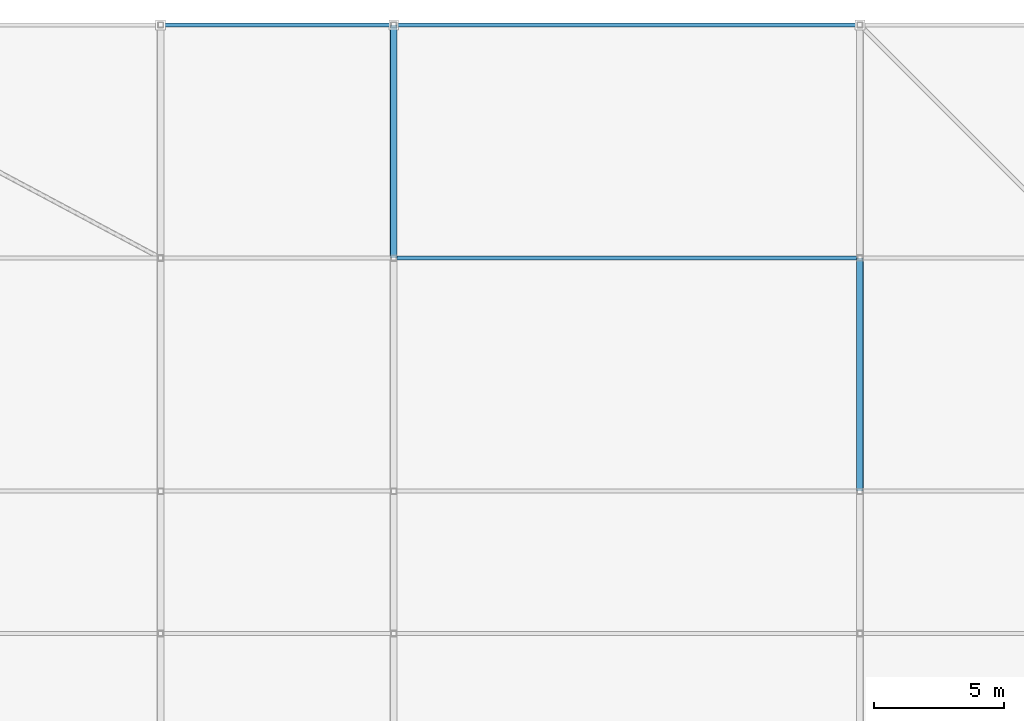
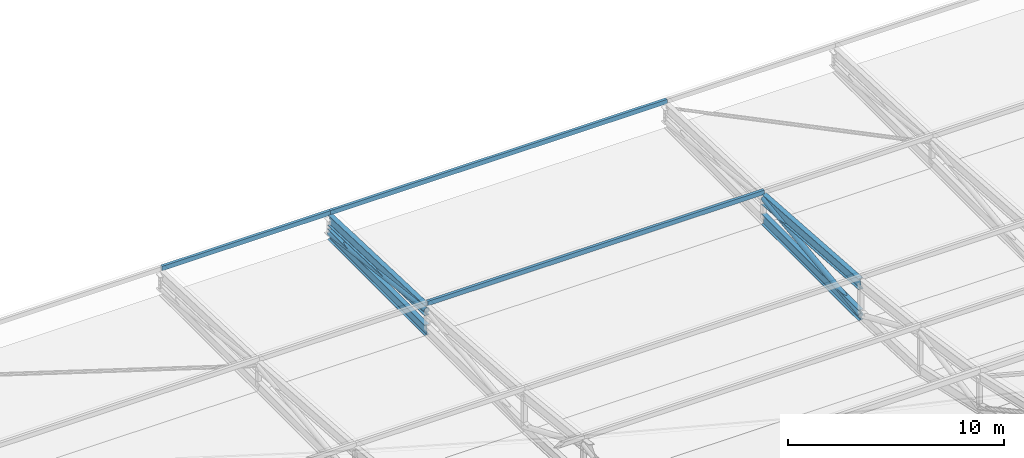
# One storey, part 70 of 114: 5 members, 4 beams.
"""IFC4 building model written with IfcOpenShell, lengths in metres."""

from ifc_helpers import new_model, si_unit, direction, frame, origin, origin_2d, place, context, subcontext, project, spatial, hollow_rectangle, hollow_circle, i_section, extrude, material, material_profile, profile_set, type_object, element, save


model = new_model("IFC4")

# Units and contexts
model_context = context("Model", 3, precision=1e-05, world=origin(), true_north=direction((0.0, 1.0)))
body_context = subcontext(model_context, "Body", "Model", "MODEL_VIEW")
ifc_project = project(units=[si_unit("LENGTHUNIT", "METRE"), si_unit("AREAUNIT", "SQUARE_METRE"), si_unit("VOLUMEUNIT", "CUBIC_METRE"), si_unit("PLANEANGLEUNIT", "RADIAN"), si_unit("MASSUNIT", "GRAM", prefix="KILO"), si_unit("THERMODYNAMICTEMPERATUREUNIT", "KELVIN"), si_unit("POWERUNIT", "WATT")], contexts=[model_context])

# Site, building, storey
site_placement = place(None, origin())
site = spatial("IfcSite", under=ifc_project, at=site_placement, CompositionType="ELEMENT")
building_placement = place(site_placement, origin())
building = spatial("IfcBuilding", under=site, at=building_placement, Name="Sindhuravela Promenade Stadium", CompositionType="ELEMENT")
storey_placement = place(building_placement, frame((0.0, 0.0, 24.0)))
storey = spatial("IfcBuildingStorey", under=building, at=storey_placement, Name="L05", CompositionType="ELEMENT", Elevation=24.0)

# Beams
ifc_material = material(Name="Steel E350 (IS 2062 E350BR)", Category="steel")
ifc_material_profile_1 = material_profile(ifc_material, i_section(OverallWidth=0.25, OverallDepth=0.60009765625, WebThickness=0.01171875, FlangeThickness=0.023681640625, FilletRadius=0.01708984375, at=origin_2d()), Name="ISWB 600")
ifc_profile_set_1 = profile_set([ifc_material_profile_1], Name="Steel E350 (IS 2062 E350BR)")
beam_type = type_object("IfcBeamType", Name="ST-BM-WB600", PredefinedType="USERDEFINED", material=ifc_profile_set_1)
beam_1_placement = place(storey_placement, frame((81.0, 153.0, 0.800048828125), z_axis=(0.0, -0.9993399990381225, 0.03632583546850814), x_axis=(1.0, 0.0, 0.0)))
element("IfcBeam", 1, at=beam_1_placement, inside=storey, type_object=beam_type, Name="Roof truss RT-N03 top chord 1", ObjectType="ROOF TRUSS", PredefinedType="USERDEFINED", context=body_context, shape_type="SweptSolid", body=[
    extrude(i_section(OverallWidth=0.25, OverallDepth=0.60009765625, WebThickness=0.01171875, FlangeThickness=0.023681640625, FilletRadius=0.01708984375, at=origin_2d()), origin(), (0.0, 0.0, 1.0), 9.005859375),
])
beam_2_placement = place(storey_placement, frame((81.0, 153.0, 0.0), z_axis=(0.0, -1.0, 0.0), x_axis=(1.0, 0.0, 0.0)))
element("IfcBeam", 2, at=beam_2_placement, inside=storey, type_object=beam_type, Name="Roof truss RT-N03 bottom chord 1", ObjectType="ROOF TRUSS", PredefinedType="USERDEFINED", context=body_context, shape_type="SweptSolid", body=[
    extrude(i_section(OverallWidth=0.25, OverallDepth=0.60009765625, WebThickness=0.01171875, FlangeThickness=0.023681640625, FilletRadius=0.01708984375, at=origin_2d()), origin(), (0.0, 0.0, 1.0), 9.0),
])
beam_3_placement = place(storey_placement, frame((99.0, 144.0, 1.127197265625), z_axis=(0.0, -0.9975125305940163, 0.07048937017679613), x_axis=(1.0, 0.0, 0.0)))
element("IfcBeam", 3, at=beam_3_placement, inside=storey, type_object=beam_type, Name="Roof truss RT-N04 top chord 2", ObjectType="ROOF TRUSS", PredefinedType="USERDEFINED", context=body_context, shape_type="SweptSolid", body=[
    extrude(i_section(OverallWidth=0.25, OverallDepth=0.60009765625, WebThickness=0.01171875, FlangeThickness=0.023681640625, FilletRadius=0.01708984375, at=origin_2d()), origin(), (0.0, 0.0, 1.0), 9.0224609375),
])
beam_4_placement = place(storey_placement, frame((99.0, 144.0, 0.0), z_axis=(0.0, -1.0, 0.0), x_axis=(1.0, 0.0, 0.0)))
element("IfcBeam", 4, at=beam_4_placement, inside=storey, type_object=beam_type, Name="Roof truss RT-N04 bottom chord 2", ObjectType="ROOF TRUSS", PredefinedType="USERDEFINED", context=body_context, shape_type="SweptSolid", body=[
    extrude(i_section(OverallWidth=0.25, OverallDepth=0.60009765625, WebThickness=0.01171875, FlangeThickness=0.023681640625, FilletRadius=0.01708984375, at=origin_2d()), origin(), (0.0, 0.0, 1.0), 9.0),
])

# Members
ifc_material_profile_2 = material_profile(ifc_material, hollow_circle(Radius=0.136474609375, WallThickness=0.010009765625, at=origin_2d()), Name="CHS 273.0x10")
ifc_profile_set_2 = profile_set([ifc_material_profile_2], Name="Steel E350 (IS 2062 E350BR)")
member_type_1 = type_object("IfcMemberType", Name="ST-MB-CHS273", PredefinedType="BRACE", material=ifc_profile_set_2)
for number, where, z_axis, x_axis, name in (
    (5, (81.0, 153.0, 0.0), (0.0, -0.9922480329009012, 0.12427325216752011), (1.0, 0.0, 0.0), "Roof truss RT-N03 diagonal web 1"),
    (6, (99.0, 144.0, 1.127197265625), (0.0, -0.9922480329009012, -0.12427325216752011), (1.0, 0.0, 0.0), "Roof truss RT-N04 diagonal web 2"),
):
    element("IfcMember", number, at=place(storey_placement, frame(where, z_axis=z_axis, x_axis=x_axis)), inside=storey, type_object=member_type_1, Name=name, PredefinedType="BRACE", context=body_context, shape_type="SweptSolid", body=[
        extrude(hollow_circle(Radius=0.136474609375, WallThickness=0.010009765625, at=origin_2d()), origin(), (0.0, 0.0, 1.0), 9.0703125),
    ])
ifc_material_profile_3 = material_profile(ifc_material, hollow_rectangle(XDim=0.14990234375, YDim=0.25, WallThickness=0.010009765625, at=origin_2d()), Name="RHS 250x150x10")
ifc_profile_set_3 = profile_set([ifc_material_profile_3], Name="Steel E350 (IS 2062 E350BR)")
member_type_2 = type_object("IfcMemberType", Name="ST-MB-RHS250", PredefinedType="PURLIN", material=ifc_profile_set_3)
member_placement = place(storey_placement, frame((72.0, 153.0, 1.19189453125), z_axis=(1.0, 0.0, 0.0), x_axis=(0.0, 1.0, 0.0)))
element("IfcMember", 7, at=member_placement, inside=storey, type_object=member_type_2, Name="Roof purlin PR01 N bay 2.1", PredefinedType="PURLIN", context=body_context, shape_type="SweptSolid", body=[
    extrude(hollow_rectangle(XDim=0.14990234375, YDim=0.25, WallThickness=0.010009765625, at=origin_2d()), origin(), (0.0, 0.0, 1.0), 9.0),
])
for number, where, z_axis, x_axis, name in (
    (8, (81.0, 153.0, 1.19189453125), (1.0, 0.0, 0.0), (0.0, 1.0, 0.0), "Roof purlin PR01 N bay 3.1"),
    (9, (81.0, 144.0, 1.51904296875), (1.0, 0.0, 0.0), (0.0, 1.0, 0.0), "Roof purlin PR01 N bay 3.2"),
):
    element("IfcMember", number, at=place(storey_placement, frame(where, z_axis=z_axis, x_axis=x_axis)), inside=storey, type_object=member_type_2, Name=name, PredefinedType="PURLIN", context=body_context, shape_type="SweptSolid", body=[
        extrude(hollow_rectangle(XDim=0.14990234375, YDim=0.25, WallThickness=0.010009765625, at=origin_2d()), origin(), (0.0, 0.0, 1.0), 18.0),
    ])

save(model, "model.ifc")
